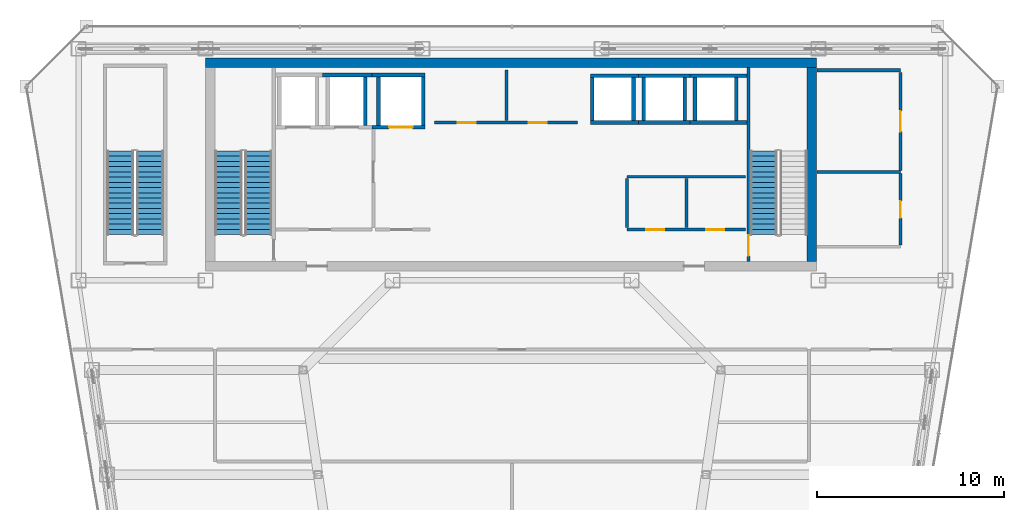
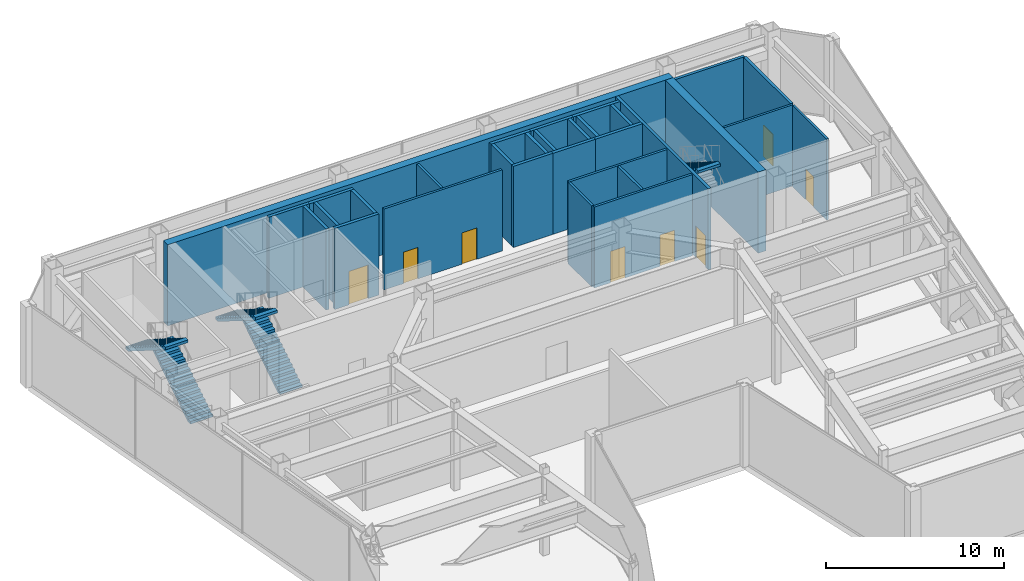
# One storey, part 30 of 34: 31 walls, 8 doors, 5 stair flights, 8 openings, 3 elements without a shape of their own.
"""IFC4 building model written with IfcOpenShell, lengths in metres."""

from ifc_helpers import new_model, si_unit, direction, frame, frame_2d, origin, place, context, subcontext, project, spatial, polyline, rectangle, outline, extrude, material, layer, layer_set, type_object, element, fill, aggregate, save


model = new_model("IFC4")

# Units and contexts
model_context = context("Model", 3, precision=1e-05, world=origin(), true_north=direction((0.0, 1.0)))
body_context = subcontext(model_context, "Body", "Model", "MODEL_VIEW")
ifc_project = project(units=[si_unit("LENGTHUNIT", "METRE"), si_unit("AREAUNIT", "SQUARE_METRE"), si_unit("VOLUMEUNIT", "CUBIC_METRE"), si_unit("PLANEANGLEUNIT", "RADIAN"), si_unit("MASSUNIT", "GRAM", prefix="KILO")], contexts=[model_context])

# Site, building, storey
site_placement = place(None, origin())
site = spatial("IfcSite", under=ifc_project, at=site_placement, CompositionType="ELEMENT")
building_placement = place(site_placement, origin())
building = spatial("IfcBuilding", under=site, at=building_placement, Name="Saevonmaru Cultural Tower", CompositionType="ELEMENT")
storey_placement = place(building_placement, frame((0.0, 0.0, 224.60009765625)))
storey = spatial("IfcBuildingStorey", under=building, at=storey_placement, Name="L52", CompositionType="ELEMENT", Elevation=224.60009765625)

# Walls
ifc_material_1 = material(Name="Concrete C60/75", Category="concrete")
ifc_layer_1 = layer(ifc_material_1, 0.5, Name="Concrete C60/75")
ifc_layer_set_1 = layer_set([ifc_layer_1], Name="Concrete C60/75")
wall_type_1 = type_object("IfcWallType", Name="WL-CORE-500", PredefinedType="SHEAR", material=ifc_layer_set_1)
wall_1_placement = place(storey_placement, frame((13.60009765625, 54.050048828125, 0.0), z_axis=(0.0, 0.0, 1.0), x_axis=(1.0, 0.0, 0.0)))
element("IfcWall", 1, at=wall_1_placement, inside=storey, type_object=wall_type_1, Name="L52 Tower RC core shear wall N", PredefinedType="SHEAR", context=body_context, shape_type="SweptSolid", body=[
    extrude(rectangle(XDim=32.699951171875, YDim=0.5, at=frame_2d((16.35009765625, 0.0))), origin(), (0.0, 0.0, 1.0), 5.5498046875),
])
wall_2_placement = place(storey_placement, frame((46.050048828125, 43.39990234375, 0.0), z_axis=(0.0, 0.0, 1.0), x_axis=(0.0, 1.0, 0.0)))
element("IfcWall", 2, at=wall_2_placement, inside=storey, type_object=wall_type_1, Name="L52 Tower RC core shear wall E", PredefinedType="SHEAR", context=body_context, shape_type="SweptSolid", body=[
    extrude(rectangle(XDim=10.400146484375, YDim=0.5, at=frame_2d((5.2001953125, 0.0))), origin(), (0.0, 0.0, 1.0), 5.5498046875),
])

# Wall, openings, doors
ifc_material_2 = material(Name="Gypsum Fireboard Partition", Category="gypsum")
ifc_layer_2 = layer(ifc_material_2, 0.14990234375, Name="Gypsum Fireboard Partition")
ifc_layer_set_2 = layer_set([ifc_layer_2], Name="Gypsum Fireboard Partition")
wall_type_2 = type_object("IfcWallType", Name="WL-CORE-PART-150", PredefinedType="PARTITIONING", material=ifc_layer_set_2)
wall_3_placement = place(storey_placement, frame((36.14990234375, 45.1201171875, 0.0), z_axis=(0.0, 0.0, 1.0), x_axis=(1.0, 0.0, 0.0)))
wall_3 = element("IfcWall", 3, at=wall_3_placement, inside=storey, type_object=wall_type_2, Name="L52 Core Cluster South Wall", PredefinedType="PARTITIONING", context=body_context, shape_type="SweptSolid", body=[
    extrude(rectangle(XDim=6.35009765625, YDim=0.14990234375, at=frame_2d((3.175048828125, 0.0))), origin(), (0.0, 0.0, 1.0), 5.5498046875),
])
opening_1_placement = place(wall_3_placement, frame((1.050048828125, 0.0, 0.0)))
opening_1 = element("IfcOpeningElement", 4, at=opening_1_placement, cuts=wall_3, Name="Opening FD-4", PredefinedType="OPENING", context=body_context, shape_type="SweptSolid", body=[
    extrude(rectangle(XDim=0.949951171875, YDim=2.14990234375, at=frame_2d((0.47509765625, 1.074951171875))), frame((0.0, 0.0849609375, 0.0), z_axis=(0.0, -1.0, 0.0), x_axis=(1.0, 0.0, 0.0)), (0.0, 0.0, 1.0), 0.169921875),
])
opening_2_placement = place(wall_3_placement, frame((4.25, 0.0, 0.0)))
opening_2 = element("IfcOpeningElement", 5, at=opening_2_placement, cuts=wall_3, Name="Opening FD-4", PredefinedType="OPENING", context=body_context, shape_type="SweptSolid", body=[
    extrude(rectangle(XDim=0.949951171875, YDim=2.14990234375, at=frame_2d((0.47509765625, 1.074951171875))), frame((0.0, 0.0849609375, 0.0), z_axis=(0.0, -1.0, 0.0), x_axis=(1.0, 0.0, 0.0)), (0.0, 0.0, 1.0), 0.169921875),
])
ifc_material_3 = material(Name="Satin Bronze Anodised Aluminium", Category="aluminium")
door_type_1 = type_object("IfcDoorType", Name="DR-FD60-950", OperationType="SINGLE_SWING_LEFT", PredefinedType="DOOR", material=ifc_material_3)
door_1_placement = place(opening_1_placement, origin())
door_1 = element("IfcDoor", 6, at=door_1_placement, inside=storey, type_object=door_type_1, Name="L52 BMS Control Room Door", OperationType="SINGLE_SWING_LEFT", OverallHeight=2.14990234375, OverallWidth=0.949951171875, PredefinedType="DOOR", context=body_context, shape_type="SweptSolid", body=[
    extrude(rectangle(XDim=0.949951171875, YDim=2.14990234375, at=frame_2d((0.47509765625, 1.074951171875))), frame((0.0, 0.02490234375, 0.0), z_axis=(0.0, -1.0, 0.0), x_axis=(1.0, 0.0, 0.0)), (0.0, 0.0, 1.0), 0.050048828125),
])
fill(opening_1, door_1)
door_2_placement = place(opening_2_placement, origin())
door_2 = element("IfcDoor", 7, at=door_2_placement, inside=storey, type_object=door_type_1, Name="L52 Fibre Node Plant Door", OperationType="SINGLE_SWING_LEFT", OverallHeight=2.14990234375, OverallWidth=0.949951171875, PredefinedType="DOOR", context=body_context, shape_type="SweptSolid", body=[
    extrude(rectangle(XDim=0.949951171875, YDim=2.14990234375, at=frame_2d((0.47509765625, 1.074951171875))), frame((0.0, 0.02490234375, 0.0), z_axis=(0.0, -1.0, 0.0), x_axis=(1.0, 0.0, 0.0)), (0.0, 0.0, 1.0), 0.050048828125),
])
fill(opening_2, door_2)

# Walls
wall_4_placement = place(storey_placement, frame((36.14990234375, 47.949951171875, 0.0), z_axis=(0.0, 0.0, 1.0), x_axis=(1.0, 0.0, 0.0)))
element("IfcWall", 8, at=wall_4_placement, inside=storey, type_object=wall_type_2, Name="L52 Core Cluster North Wall", PredefinedType="PARTITIONING", context=body_context, shape_type="SweptSolid", body=[
    extrude(rectangle(XDim=6.35009765625, YDim=0.14990234375, at=frame_2d((3.175048828125, 0.0))), origin(), (0.0, 0.0, 1.0), 5.5498046875),
])
for number, where, z_axis, x_axis, name in (
    (9, (36.14990234375, 45.219970703125, 0.0), (0.0, 0.0, 1.0), (0.0, 1.0, 0.0), "L52 Core Cluster West Wall"),
    (10, (39.35009765625, 45.219970703125, 0.0), (0.0, 0.0, 1.0), (0.0, 1.0, 0.0), "L52 Core Cluster Inner Split"),
):
    element("IfcWall", number, at=place(storey_placement, frame(where, z_axis=z_axis, x_axis=x_axis)), inside=storey, type_object=wall_type_2, Name=name, PredefinedType="PARTITIONING", context=body_context, shape_type="SweptSolid", body=[
        extrude(rectangle(XDim=2.630126953125, YDim=0.14990234375, at=frame_2d((1.31494140625, 0.0))), origin(), (0.0, 0.0, 1.0), 5.5498046875),
    ])

# Wall, openings, doors
wall_5_placement = place(storey_placement, frame((25.85009765625, 50.85009765625, 0.0), z_axis=(0.0, 0.0, 1.0), x_axis=(1.0, 0.0, 0.0)))
wall_5 = element("IfcWall", 11, at=wall_5_placement, inside=storey, type_object=wall_type_2, Name="L52 Reclaimed Core Room South Wall", PredefinedType="PARTITIONING", context=body_context, shape_type="SweptSolid", body=[
    extrude(rectangle(XDim=7.64990234375, YDim=0.14990234375, at=frame_2d((3.824951171875, 0.0))), origin(), (0.0, 0.0, 1.0), 5.5498046875),
])
opening_3_placement = place(wall_5_placement, frame((1.25, 0.0, 0.0)))
opening_3 = element("IfcOpeningElement", 12, at=opening_3_placement, cuts=wall_5, Name="Opening FD-4", PredefinedType="OPENING", context=body_context, shape_type="SweptSolid", body=[
    extrude(rectangle(XDim=0.949951171875, YDim=2.14990234375, at=frame_2d((0.47509765625, 1.074951171875))), frame((0.0, 0.0849609375, 0.0), z_axis=(0.0, -1.0, 0.0), x_axis=(1.0, 0.0, 0.0)), (0.0, 0.0, 1.0), 0.169921875),
])
opening_4_placement = place(wall_5_placement, frame((5.050048828125, 0.0, 0.0)))
opening_4 = element("IfcOpeningElement", 13, at=opening_4_placement, cuts=wall_5, Name="Opening FD-4", PredefinedType="OPENING", context=body_context, shape_type="SweptSolid", body=[
    extrude(rectangle(XDim=0.949951171875, YDim=2.14990234375, at=frame_2d((0.47509765625, 1.074951171875))), frame((0.0, 0.0849609375, 0.0), z_axis=(0.0, -1.0, 0.0), x_axis=(1.0, 0.0, 0.0)), (0.0, 0.0, 1.0), 0.169921875),
])
door_3_placement = place(opening_3_placement, origin())
door_3 = element("IfcDoor", 14, at=door_3_placement, inside=storey, type_object=door_type_1, Name="L52 Reclaimed Archive Vault Door", OperationType="SINGLE_SWING_LEFT", OverallHeight=2.14990234375, OverallWidth=0.949951171875, PredefinedType="DOOR", context=body_context, shape_type="SweptSolid", body=[
    extrude(rectangle(XDim=0.949951171875, YDim=2.14990234375, at=frame_2d((0.47509765625, 1.074951171875))), frame((0.0, 0.02490234375, 0.0), z_axis=(0.0, -1.0, 0.0), x_axis=(1.0, 0.0, 0.0)), (0.0, 0.0, 1.0), 0.050048828125),
])
fill(opening_3, door_3)
door_4_placement = place(opening_4_placement, origin())
door_4 = element("IfcDoor", 15, at=door_4_placement, inside=storey, type_object=door_type_1, Name="L52 Reclaimed Conservation Storage Door", OperationType="SINGLE_SWING_LEFT", OverallHeight=2.14990234375, OverallWidth=0.949951171875, PredefinedType="DOOR", context=body_context, shape_type="SweptSolid", body=[
    extrude(rectangle(XDim=0.949951171875, YDim=2.14990234375, at=frame_2d((0.47509765625, 1.074951171875))), frame((0.0, 0.02490234375, 0.0), z_axis=(0.0, -1.0, 0.0), x_axis=(1.0, 0.0, 0.0)), (0.0, 0.0, 1.0), 0.050048828125),
])
fill(opening_4, door_4)

# Walls
wall_6_placement = place(storey_placement, frame((29.699951171875, 50.949951171875, 0.0), z_axis=(0.0, 0.0, 1.0), x_axis=(0.0, 1.0, 0.0)))
element("IfcWall", 16, at=wall_6_placement, inside=storey, type_object=wall_type_2, Name="L52 Reclaimed Vault Split", PredefinedType="PARTITIONING", context=body_context, shape_type="SweptSolid", body=[
    extrude(rectangle(XDim=2.699951171875, YDim=0.14990234375, at=frame_2d((1.35009765625, 0.0))), origin(), (0.0, 0.0, 1.0), 5.5498046875),
])
ifc_layer_3 = layer(ifc_material_2, 0.179931640625, Name="Gypsum Fireboard Partition")
ifc_layer_set_3 = layer_set([ifc_layer_3], Name="Gypsum Fireboard Partition")
wall_type_3 = type_object("IfcWallType", Name="WL-PART-PLANT-180", PredefinedType="PARTITIONING", material=ifc_layer_set_3)
wall_7_placement = place(storey_placement, frame((46.320068359375, 53.64990234375, 0.0), z_axis=(0.0, 0.0, 1.0), x_axis=(1.0, 0.0, 0.0)))
element("IfcWall", 17, at=wall_7_placement, inside=storey, type_object=wall_type_3, Name="L52 East Refuge North Wall", PredefinedType="PARTITIONING", context=body_context, shape_type="SweptSolid", body=[
    extrude(rectangle(XDim=4.47998046875, YDim=0.179931640625, at=frame_2d((2.239990234375, 0.0))), origin(), (0.0, 0.0, 1.0), 5.5498046875),
])

# Wall, opening, door
wall_8_placement = place(storey_placement, frame((50.800048828125, 48.2900390625, 0.0), z_axis=(0.0, 0.0, 1.0), x_axis=(0.0, 1.0, 0.0)))
wall_8 = element("IfcWall", 18, at=wall_8_placement, inside=storey, type_object=wall_type_3, Name="L52 East Refuge Door Wall", PredefinedType="PARTITIONING", context=body_context, shape_type="SweptSolid", body=[
    extrude(rectangle(XDim=5.25, YDim=0.179931640625, at=frame_2d((2.625, 0.0))), origin(), (0.0, 0.0, 1.0), 5.5498046875),
])
opening_5_placement = place(wall_8_placement, frame((2.074951171875, 0.0, 0.0)))
opening_5 = element("IfcOpeningElement", 19, at=opening_5_placement, cuts=wall_8, Name="Opening FD-2", PredefinedType="OPENING", context=body_context, shape_type="SweptSolid", body=[
    extrude(rectangle(XDim=1.10009765625, YDim=2.14990234375, at=frame_2d((0.550048828125, 1.074951171875))), frame((0.0, 0.10009765625, 0.0), z_axis=(0.0, -1.0, 0.0), x_axis=(1.0, 0.0, 0.0)), (0.0, 0.0, 1.0), 0.199951171875),
])
door_type_2 = type_object("IfcDoorType", Name="DR-FD60-1100", OperationType="SINGLE_SWING_LEFT", PredefinedType="DOOR", material=ifc_material_3)
door_5_placement = place(opening_5_placement, origin())
door_5 = element("IfcDoor", 20, at=door_5_placement, inside=storey, type_object=door_type_2, Name="L52 East Refuge Area Fire Door", OperationType="SINGLE_SWING_LEFT", OverallHeight=2.14990234375, OverallWidth=1.10009765625, PredefinedType="DOOR", context=body_context, shape_type="SweptSolid", body=[
    extrude(rectangle(XDim=1.10009765625, YDim=2.14990234375, at=frame_2d((0.550048828125, 1.074951171875))), frame((0.0, 0.02490234375, 0.0), z_axis=(0.0, -1.0, 0.0), x_axis=(1.0, 0.0, 0.0)), (0.0, 0.0, 1.0), 0.050048828125),
])
fill(opening_5, door_5)

# Wall
ifc_layer_4 = layer(ifc_material_2, 0.139892578125, Name="Gypsum Fireboard Partition")
ifc_layer_set_4 = layer_set([ifc_layer_4], Name="Gypsum Fireboard Partition")
wall_type_4 = type_object("IfcWallType", Name="WL-PART-WET-140", PredefinedType="PARTITIONING", material=ifc_layer_set_4)
wall_9_placement = place(storey_placement, frame((46.320068359375, 48.199951171875, 0.0), z_axis=(0.0, 0.0, 1.0), x_axis=(1.0, 0.0, 0.0)))
element("IfcWall", 21, at=wall_9_placement, inside=storey, type_object=wall_type_4, Name="L52 Refuge Washroom North Wall", PredefinedType="PARTITIONING", context=body_context, shape_type="SweptSolid", body=[
    extrude(rectangle(XDim=4.47998046875, YDim=0.139892578125, at=frame_2d((2.239990234375, 0.0))), origin(), (0.0, 0.0, 1.0), 5.5498046875),
])

# Wall, opening, door
wall_10_placement = place(storey_placement, frame((50.800048828125, 44.2900390625, 0.0), z_axis=(0.0, 0.0, 1.0), x_axis=(0.0, 1.0, 0.0)))
wall_10 = element("IfcWall", 22, at=wall_10_placement, inside=storey, type_object=wall_type_4, Name="L52 Refuge Washroom Door Wall", PredefinedType="PARTITIONING", context=body_context, shape_type="SweptSolid", body=[
    extrude(rectangle(XDim=3.820068359375, YDim=0.139892578125, at=frame_2d((1.91015625, 0.0))), origin(), (0.0, 0.0, 1.0), 5.5498046875),
])
opening_6_placement = place(wall_10_placement, frame((1.4599609375, 0.0, 0.0)))
opening_6 = element("IfcOpeningElement", 23, at=opening_6_placement, cuts=wall_10, Name="Opening ID-2", PredefinedType="OPENING", context=body_context, shape_type="SweptSolid", body=[
    extrude(rectangle(XDim=0.89990234375, YDim=2.10009765625, at=frame_2d((0.449951171875, 1.050048828125))), frame((0.0, 0.080078125, 0.0), z_axis=(0.0, -1.0, 0.0), x_axis=(1.0, 0.0, 0.0)), (0.0, 0.0, 1.0), 0.159912109375),
])
ifc_material_4 = material(Name="Acoustic Stained Oak Timber", Category="wood")
door_type_3 = type_object("IfcDoorType", Name="DR-INT-900", OperationType="SINGLE_SWING_RIGHT", PredefinedType="DOOR", material=ifc_material_4)
door_6_placement = place(opening_6_placement, origin())
door_6 = element("IfcDoor", 24, at=door_6_placement, inside=storey, type_object=door_type_3, Name="L52 Refuge Accessible Washroom Door", OperationType="SINGLE_SWING_RIGHT", OverallHeight=2.10009765625, OverallWidth=0.89990234375, PredefinedType="DOOR", context=body_context, shape_type="SweptSolid", body=[
    extrude(rectangle(XDim=0.89990234375, YDim=2.10009765625, at=frame_2d((0.449951171875, 1.050048828125))), frame((0.0, 0.02490234375, 0.0), z_axis=(0.0, -1.0, 0.0), x_axis=(1.0, 0.0, 0.0)), (0.0, 0.0, 1.0), 0.050048828125),
])
fill(opening_6, door_6)

# Walls
ifc_material_5 = material(Name="Concrete C40/50", Category="concrete")
ifc_layer_5 = layer(ifc_material_5, 0.199951171875, Name="Concrete C40/50")
ifc_layer_set_5 = layer_set([ifc_layer_5], Name="Concrete C40/50")
wall_type_5 = type_object("IfcWallType", Name="WL-SHAFT-200", PredefinedType="SHEAR", material=ifc_layer_set_5)
wall_11_placement = place(storey_placement, frame((19.85009765625, 53.39990234375, 0.0), z_axis=(0.0, 0.0, 1.0), x_axis=(1.0, 0.0, 0.0)))
element("IfcWall", 25, at=wall_11_placement, inside=storey, type_object=wall_type_5, Name="L52 Lift FFL-2 Hoistway Wall N", PredefinedType="SHEAR", context=body_context, shape_type="SweptSolid", body=[
    extrude(rectangle(XDim=2.64990234375, YDim=0.199951171875, at=frame_2d((1.324951171875, 0.0))), origin(), (0.0, 0.0, 1.0), 5.5498046875),
])
wall_12_placement = place(storey_placement, frame((22.14990234375, 50.699951171875, 0.0), z_axis=(0.0, 0.0, 1.0), x_axis=(0.0, 1.0, 0.0)))
element("IfcWall", 26, at=wall_12_placement, inside=storey, type_object=wall_type_5, Name="L52 Lift FFL-2 Hoistway Wall E", PredefinedType="SHEAR", context=body_context, shape_type="SweptSolid", body=[
    extrude(rectangle(XDim=2.60009765625, YDim=0.199951171875, at=frame_2d((1.300048828125, 0.0))), origin(), (0.0, 0.0, 1.0), 5.5498046875),
])

# Wall, opening, door
wall_13_placement = place(storey_placement, frame((22.5, 50.60009765625, 0.0), z_axis=(0.0, 0.0, 1.0), x_axis=(1.0, 0.0, 0.0)))
wall_13 = element("IfcWall", 27, at=wall_13_placement, inside=storey, type_object=wall_type_5, Name="L52 Lift GL-1 Hoistway Wall S", PredefinedType="SHEAR", context=body_context, shape_type="SweptSolid", body=[
    extrude(rectangle(XDim=2.85009765625, YDim=0.199951171875, at=frame_2d((1.425048828125, 0.0))), origin(), (0.0, 0.0, 1.0), 5.5498046875),
])
opening_7_placement = place(wall_13_placement, frame((0.925048828125, 0.0, 0.0)))
opening_7 = element("IfcOpeningElement", 28, at=opening_7_placement, cuts=wall_13, Name="Opening LD-2", PredefinedType="OPENING", context=body_context, shape_type="SweptSolid", body=[
    extrude(rectangle(XDim=1.25, YDim=2.300048828125, at=frame_2d((0.625, 1.14990234375))), frame((0.0, 0.10986328125, 0.0), z_axis=(0.0, -1.0, 0.0), x_axis=(1.0, 0.0, 0.0)), (0.0, 0.0, 1.0), 0.219970703125),
])
ifc_material_6 = material(Name="Stainless Steel 316", Category="steel")
door_type_4 = type_object("IfcDoorType", Name="DR-LIFT-1250", OperationType="SLIDING_TO_LEFT", PredefinedType="DOOR", material=ifc_material_6)
door_7_placement = place(opening_7_placement, origin())
door_7 = element("IfcDoor", 29, at=door_7_placement, inside=storey, type_object=door_type_4, Name="L52 Lift GL-1 Sliding Landing Door", OperationType="SLIDING_TO_LEFT", OverallHeight=2.300048828125, OverallWidth=1.25, PredefinedType="DOOR", context=body_context, shape_type="SweptSolid", body=[
    extrude(rectangle(XDim=1.25, YDim=2.300048828125, at=frame_2d((0.625, 1.14990234375))), frame((0.0, 0.02490234375, 0.0), z_axis=(0.0, -1.0, 0.0), x_axis=(1.0, 0.0, 0.0)), (0.0, 0.0, 1.0), 0.050048828125),
])
fill(opening_7, door_7)

# Walls
wall_14_placement = place(storey_placement, frame((22.5, 53.39990234375, 0.0), z_axis=(0.0, 0.0, 1.0), x_axis=(1.0, 0.0, 0.0)))
element("IfcWall", 30, at=wall_14_placement, inside=storey, type_object=wall_type_5, Name="L52 Lift GL-1 Hoistway Wall N", PredefinedType="SHEAR", context=body_context, shape_type="SweptSolid", body=[
    extrude(rectangle(XDim=2.85009765625, YDim=0.199951171875, at=frame_2d((1.425048828125, 0.0))), origin(), (0.0, 0.0, 1.0), 5.5498046875),
])
for number, where, z_axis, x_axis, name in (
    (31, (22.85009765625, 50.699951171875, 0.0), (0.0, 0.0, 1.0), (0.0, 1.0, 0.0), "L52 Lift GL-1 Hoistway Wall W"),
    (32, (25.25, 50.699951171875, 0.0), (0.0, 0.0, 1.0), (0.0, 1.0, 0.0), "L52 Lift GL-1 Hoistway Wall E"),
):
    element("IfcWall", number, at=place(storey_placement, frame(where, z_axis=z_axis, x_axis=x_axis)), inside=storey, type_object=wall_type_5, Name=name, PredefinedType="SHEAR", context=body_context, shape_type="SweptSolid", body=[
        extrude(rectangle(XDim=2.60009765625, YDim=0.199951171875, at=frame_2d((1.300048828125, 0.0))), origin(), (0.0, 0.0, 1.0), 5.5498046875),
    ])
for number, where, z_axis, x_axis, name in (
    (33, (34.199951171875, 50.85009765625, 0.0), (0.0, 0.0, 1.0), (1.0, 0.0, 0.0), "L52 Lift PL-H1 Hoistway Wall S"),
    (34, (34.199951171875, 53.35009765625, 0.0), (0.0, 0.0, 1.0), (1.0, 0.0, 0.0), "L52 Lift PL-H1 Hoistway Wall N"),
):
    element("IfcWall", number, at=place(storey_placement, frame(where, z_axis=z_axis, x_axis=x_axis)), inside=storey, type_object=wall_type_5, Name=name, PredefinedType="SHEAR", context=body_context, shape_type="SweptSolid", body=[
        extrude(rectangle(XDim=2.574951171875, YDim=0.199951171875, at=frame_2d((1.28759765625, 0.0))), origin(), (0.0, 0.0, 1.0), 5.5498046875),
    ])
for number, where, z_axis, x_axis, name in (
    (35, (34.300048828125, 50.949951171875, 0.0), (0.0, 0.0, 1.0), (0.0, 1.0, 0.0), "L52 Lift PL-H1 Hoistway Wall W"),
    (36, (36.5, 50.949951171875, 0.0), (0.0, 0.0, 1.0), (0.0, 1.0, 0.0), "L52 Lift PL-H1 Hoistway Wall E"),
):
    element("IfcWall", number, at=place(storey_placement, frame(where, z_axis=z_axis, x_axis=x_axis)), inside=storey, type_object=wall_type_5, Name=name, PredefinedType="SHEAR", context=body_context, shape_type="SweptSolid", body=[
        extrude(rectangle(XDim=2.300048828125, YDim=0.199951171875, at=frame_2d((1.14990234375, 0.0))), origin(), (0.0, 0.0, 1.0), 5.5498046875),
    ])
for number, where, z_axis, x_axis, name in (
    (37, (36.77490234375, 50.85009765625, 0.0), (0.0, 0.0, 1.0), (1.0, 0.0, 0.0), "L52 Lift PL-H2 Hoistway Wall S"),
    (38, (36.77490234375, 53.35009765625, 0.0), (0.0, 0.0, 1.0), (1.0, 0.0, 0.0), "L52 Lift PL-H2 Hoistway Wall N"),
):
    element("IfcWall", number, at=place(storey_placement, frame(where, z_axis=z_axis, x_axis=x_axis)), inside=storey, type_object=wall_type_5, Name=name, PredefinedType="SHEAR", context=body_context, shape_type="SweptSolid", body=[
        extrude(rectangle(XDim=2.75, YDim=0.199951171875, at=frame_2d((1.375, 0.0))), origin(), (0.0, 0.0, 1.0), 5.5498046875),
    ])
for number, where, z_axis, x_axis, name in (
    (39, (37.050048828125, 50.949951171875, 0.0), (0.0, 0.0, 1.0), (0.0, 1.0, 0.0), "L52 Lift PL-H2 Hoistway Wall W"),
    (40, (39.25, 50.949951171875, 0.0), (0.0, 0.0, 1.0), (0.0, 1.0, 0.0), "L52 Lift PL-H2 Hoistway Wall E"),
):
    element("IfcWall", number, at=place(storey_placement, frame(where, z_axis=z_axis, x_axis=x_axis)), inside=storey, type_object=wall_type_5, Name=name, PredefinedType="SHEAR", context=body_context, shape_type="SweptSolid", body=[
        extrude(rectangle(XDim=2.300048828125, YDim=0.199951171875, at=frame_2d((1.14990234375, 0.0))), origin(), (0.0, 0.0, 1.0), 5.5498046875),
    ])
for number, where, z_axis, x_axis, name in (
    (41, (39.52490234375, 50.85009765625, 0.0), (0.0, 0.0, 1.0), (1.0, 0.0, 0.0), "L52 Lift PL-H3 Hoistway Wall S"),
    (42, (39.52490234375, 53.35009765625, 0.0), (0.0, 0.0, 1.0), (1.0, 0.0, 0.0), "L52 Lift PL-H3 Hoistway Wall N"),
):
    element("IfcWall", number, at=place(storey_placement, frame(where, z_axis=z_axis, x_axis=x_axis)), inside=storey, type_object=wall_type_5, Name=name, PredefinedType="SHEAR", context=body_context, shape_type="SweptSolid", body=[
        extrude(rectangle(XDim=3.045166015625, YDim=0.199951171875, at=frame_2d((1.5224609375, 0.0))), origin(), (0.0, 0.0, 1.0), 5.5498046875),
    ])
for number, where, z_axis, x_axis, name in (
    (43, (39.800048828125, 50.949951171875, 0.0), (0.0, 0.0, 1.0), (0.0, 1.0, 0.0), "L52 Lift PL-H3 Hoistway Wall W"),
    (44, (42.0, 50.949951171875, 0.0), (0.0, 0.0, 1.0), (0.0, 1.0, 0.0), "L52 Lift PL-H3 Hoistway Wall E"),
):
    element("IfcWall", number, at=place(storey_placement, frame(where, z_axis=z_axis, x_axis=x_axis)), inside=storey, type_object=wall_type_5, Name=name, PredefinedType="SHEAR", context=body_context, shape_type="SweptSolid", body=[
        extrude(rectangle(XDim=2.300048828125, YDim=0.199951171875, at=frame_2d((1.14990234375, 0.0))), origin(), (0.0, 0.0, 1.0), 5.5498046875),
    ])

# Wall, opening, door
ifc_layer_6 = layer(ifc_material_5, 0.179931640625, Name="Concrete C40/50")
ifc_layer_set_6 = layer_set([ifc_layer_6], Name="Concrete C40/50")
wall_type_6 = type_object("IfcWallType", Name="WL-STSHAFT-180", PredefinedType="SHEAR", material=ifc_layer_set_6)
wall_15_placement = place(storey_placement, frame((42.659912109375, 53.800048828125, 0.0), z_axis=(0.0, 0.0, 1.0), x_axis=(0.0, -1.0, 0.0)))
wall_15 = element("IfcWall", 45, at=wall_15_placement, inside=storey, type_object=wall_type_6, Name="L52 Stair ST-2 Structural Shaft Wall 1", PredefinedType="SHEAR", context=body_context, shape_type="SweptSolid", body=[
    extrude(rectangle(XDim=10.400146484375, YDim=0.179931640625, at=frame_2d((5.2001953125, 0.0))), origin(), (0.0, 0.0, 1.0), 5.5498046875),
])
opening_8_placement = place(wall_15_placement, frame((8.989990234375, 0.0, 0.0)))
opening_8 = element("IfcOpeningElement", 46, at=opening_8_placement, cuts=wall_15, Name="Opening FD-2", PredefinedType="OPENING", context=body_context, shape_type="SweptSolid", body=[
    extrude(rectangle(XDim=1.10009765625, YDim=2.14990234375, at=frame_2d((0.550048828125, 1.074951171875))), frame((0.0, 0.10009765625, 0.0), z_axis=(0.0, -1.0, 0.0), x_axis=(1.0, 0.0, 0.0)), (0.0, 0.0, 1.0), 0.199951171875),
])
door_8_placement = place(opening_8_placement, origin())
door_8 = element("IfcDoor", 47, at=door_8_placement, inside=storey, type_object=door_type_2, Name="L52 Protected Stair ST-2 Fire Door", OperationType="SINGLE_SWING_LEFT", OverallHeight=2.14990234375, OverallWidth=1.10009765625, PredefinedType="DOOR", context=body_context, shape_type="SweptSolid", body=[
    extrude(rectangle(XDim=1.10009765625, YDim=2.14990234375, at=frame_2d((0.550048828125, 1.074951171875))), frame((0.0, 0.02490234375, 0.0), z_axis=(0.0, -1.0, 0.0), x_axis=(1.0, 0.0, 0.0)), (0.0, 0.0, 1.0), 0.050048828125),
])
fill(opening_8, door_8)

# Stair, stair flights
stair_type = type_object("IfcStairType", Name="STR-DOGLEG-RC", PredefinedType="HALF_TURN_STAIR", material=ifc_material_5)
stair_1_placement = place(storey_placement, origin())
stair_1 = element("IfcStair", 48, at=stair_1_placement, inside=storey, type_object=stair_type, Name="L52 Protected exit stair ST-1", PredefinedType="HALF_TURN_STAIR")
ifc_material_7 = material(Name="Precast concrete C40/50", Category="concrete")
stair_flight_type = type_object("IfcStairFlightType", Name="STF-PRECAST-180", PredefinedType="STRAIGHT", material=ifc_material_7)
stair_flight_1_placement = place(storey_placement, frame((16.425048828125, 44.85009765625, 0.0), z_axis=(0.0, 0.0, 1.0), x_axis=(0.0, 1.0, 0.0)))
stair_flight_1 = element("IfcStairFlight", 49, at=stair_flight_1_placement, type_object=stair_flight_type, Name="ST-1-L52 flight 1", NumberOfRisers=17, NumberOfTreads=16, PredefinedType="STRAIGHT", RiserHeight=0.176470588, TreadLength=0.28, context=body_context, shape_type="SweptSolid", body=[
    extrude(outline(polyline([(0.0, 0.0), (0.0, 0.176513671875), (0.280029296875, 0.176513671875), (0.280029296875, 0.35302734375), (0.56005859375, 0.35302734375), (0.56005859375, 0.529296875), (0.840087890625, 0.529296875), (0.840087890625, 0.705810546875), (1.1201171875, 0.705810546875), (1.1201171875, 0.88232421875), (1.39990234375, 0.88232421875), (1.39990234375, 1.058837890625), (1.679931640625, 1.058837890625), (1.679931640625, 1.2353515625), (1.9599609375, 1.2353515625), (1.9599609375, 1.411865234375), (2.239990234375, 1.411865234375), (2.239990234375, 1.588134765625), (2.52001953125, 1.588134765625), (2.52001953125, 1.7646484375), (2.800048828125, 1.7646484375), (2.800048828125, 1.941162109375), (3.080078125, 1.941162109375), (3.080078125, 2.11767578125), (3.360107421875, 2.11767578125), (3.360107421875, 2.294189453125), (3.639892578125, 2.294189453125), (3.639892578125, 2.470703125), (3.919921875, 2.470703125), (3.919921875, 2.64697265625), (4.199951171875, 2.64697265625), (4.199951171875, 2.823486328125), (4.47998046875, 2.823486328125), (4.47998046875, 3.0), (4.47998046875, 2.646240234375), (0.28125, 0.0), (0.0, 0.0)])), frame((0.0, 0.72509765625, 0.0), z_axis=(0.0, -1.0, 0.0), x_axis=(1.0, 0.0, 0.0)), (0.0, 0.0, 1.0), 1.449951171875),
])
stair_flight_2_placement = place(storey_placement, frame((14.824951171875, 49.330078125, 3.0), z_axis=(0.0, 0.0, 1.0), x_axis=(0.0, -1.0, 0.0)))
stair_flight_2 = element("IfcStairFlight", 50, at=stair_flight_2_placement, type_object=stair_flight_type, Name="ST-1-L52 flight 2", NumberOfRisers=17, NumberOfTreads=16, PredefinedType="STRAIGHT", RiserHeight=0.176470588, TreadLength=0.28, context=body_context, shape_type="SweptSolid", body=[
    extrude(outline(polyline([(0.0, 0.0), (0.0, 0.176513671875), (0.280029296875, 0.176513671875), (0.280029296875, 0.35302734375), (0.56005859375, 0.35302734375), (0.56005859375, 0.529296875), (0.840087890625, 0.529296875), (0.840087890625, 0.705810546875), (1.1201171875, 0.705810546875), (1.1201171875, 0.88232421875), (1.39990234375, 0.88232421875), (1.39990234375, 1.058837890625), (1.679931640625, 1.058837890625), (1.679931640625, 1.2353515625), (1.9599609375, 1.2353515625), (1.9599609375, 1.411865234375), (2.239990234375, 1.411865234375), (2.239990234375, 1.588134765625), (2.52001953125, 1.588134765625), (2.52001953125, 1.7646484375), (2.800048828125, 1.7646484375), (2.800048828125, 1.941162109375), (3.080078125, 1.941162109375), (3.080078125, 2.11767578125), (3.360107421875, 2.11767578125), (3.360107421875, 2.294189453125), (3.639892578125, 2.294189453125), (3.639892578125, 2.470703125), (3.919921875, 2.470703125), (3.919921875, 2.64697265625), (4.199951171875, 2.64697265625), (4.199951171875, 2.823486328125), (4.47998046875, 2.823486328125), (4.47998046875, 3.0), (4.47998046875, 2.646240234375), (0.28125, 0.0), (0.0, 0.0)])), frame((0.0, 0.72509765625, 0.0), z_axis=(0.0, -1.0, 0.0), x_axis=(1.0, 0.0, 0.0)), (0.0, 0.0, 1.0), 1.449951171875),
])
aggregate(stair_1, [stair_flight_1, stair_flight_2])

# Stair, stair flight
stair_2_placement = place(storey_placement, origin())
stair_2 = element("IfcStair", 51, at=stair_2_placement, inside=storey, type_object=stair_type, Name="L52 Protected exit stair ST-2", PredefinedType="HALF_TURN_STAIR")
stair_flight_3_placement = place(storey_placement, frame((43.47509765625, 49.330078125, 3.0), z_axis=(0.0, 0.0, 1.0), x_axis=(0.0, -1.0, 0.0)))
stair_flight_3 = element("IfcStairFlight", 52, at=stair_flight_3_placement, type_object=stair_flight_type, Name="ST-2-L52 flight 2", NumberOfRisers=17, NumberOfTreads=16, PredefinedType="STRAIGHT", RiserHeight=0.176470588, TreadLength=0.28, context=body_context, shape_type="SweptSolid", body=[
    extrude(outline(polyline([(0.0, 0.0), (0.0, 0.176513671875), (0.280029296875, 0.176513671875), (0.280029296875, 0.35302734375), (0.56005859375, 0.35302734375), (0.56005859375, 0.529296875), (0.840087890625, 0.529296875), (0.840087890625, 0.705810546875), (1.1201171875, 0.705810546875), (1.1201171875, 0.88232421875), (1.39990234375, 0.88232421875), (1.39990234375, 1.058837890625), (1.679931640625, 1.058837890625), (1.679931640625, 1.2353515625), (1.9599609375, 1.2353515625), (1.9599609375, 1.411865234375), (2.239990234375, 1.411865234375), (2.239990234375, 1.588134765625), (2.52001953125, 1.588134765625), (2.52001953125, 1.7646484375), (2.800048828125, 1.7646484375), (2.800048828125, 1.941162109375), (3.080078125, 1.941162109375), (3.080078125, 2.11767578125), (3.360107421875, 2.11767578125), (3.360107421875, 2.294189453125), (3.639892578125, 2.294189453125), (3.639892578125, 2.470703125), (3.919921875, 2.470703125), (3.919921875, 2.64697265625), (4.199951171875, 2.64697265625), (4.199951171875, 2.823486328125), (4.47998046875, 2.823486328125), (4.47998046875, 3.0), (4.47998046875, 2.646240234375), (0.28125, 0.0), (0.0, 0.0)])), frame((0.0, 0.72509765625, 0.0), z_axis=(0.0, -1.0, 0.0), x_axis=(1.0, 0.0, 0.0)), (0.0, 0.0, 1.0), 1.449951171875),
])
aggregate(stair_2, [stair_flight_3])

# Stair, stair flights
stair_3_placement = place(storey_placement, origin())
stair_3 = element("IfcStair", 53, at=stair_3_placement, inside=storey, type_object=stair_type, Name="L52 Protected exit stair ST-3", PredefinedType="HALF_TURN_STAIR")
stair_flight_4_placement = place(storey_placement, frame((10.625, 44.85009765625, 0.0), z_axis=(0.0, 0.0, 1.0), x_axis=(0.0, 1.0, 0.0)))
stair_flight_4 = element("IfcStairFlight", 54, at=stair_flight_4_placement, type_object=stair_flight_type, Name="ST-3-L52 flight 1", NumberOfRisers=17, NumberOfTreads=16, PredefinedType="STRAIGHT", RiserHeight=0.176470588, TreadLength=0.28, context=body_context, shape_type="SweptSolid", body=[
    extrude(outline(polyline([(0.0, 0.0), (0.0, 0.176513671875), (0.280029296875, 0.176513671875), (0.280029296875, 0.35302734375), (0.56005859375, 0.35302734375), (0.56005859375, 0.529296875), (0.840087890625, 0.529296875), (0.840087890625, 0.705810546875), (1.1201171875, 0.705810546875), (1.1201171875, 0.88232421875), (1.39990234375, 0.88232421875), (1.39990234375, 1.058837890625), (1.679931640625, 1.058837890625), (1.679931640625, 1.2353515625), (1.9599609375, 1.2353515625), (1.9599609375, 1.411865234375), (2.239990234375, 1.411865234375), (2.239990234375, 1.588134765625), (2.52001953125, 1.588134765625), (2.52001953125, 1.7646484375), (2.800048828125, 1.7646484375), (2.800048828125, 1.941162109375), (3.080078125, 1.941162109375), (3.080078125, 2.11767578125), (3.360107421875, 2.11767578125), (3.360107421875, 2.294189453125), (3.639892578125, 2.294189453125), (3.639892578125, 2.470703125), (3.919921875, 2.470703125), (3.919921875, 2.64697265625), (4.199951171875, 2.64697265625), (4.199951171875, 2.823486328125), (4.47998046875, 2.823486328125), (4.47998046875, 3.0), (4.47998046875, 2.646240234375), (0.28125, 0.0), (0.0, 0.0)])), frame((0.0, 0.72509765625, 0.0), z_axis=(0.0, -1.0, 0.0), x_axis=(1.0, 0.0, 0.0)), (0.0, 0.0, 1.0), 1.449951171875),
])
stair_flight_5_placement = place(storey_placement, frame((9.02490234375, 49.330078125, 3.0), z_axis=(0.0, 0.0, 1.0), x_axis=(0.0, -1.0, 0.0)))
stair_flight_5 = element("IfcStairFlight", 55, at=stair_flight_5_placement, type_object=stair_flight_type, Name="ST-3-L52 flight 2", NumberOfRisers=17, NumberOfTreads=16, PredefinedType="STRAIGHT", RiserHeight=0.176470588, TreadLength=0.28, context=body_context, shape_type="SweptSolid", body=[
    extrude(outline(polyline([(0.0, 0.0), (0.0, 0.176513671875), (0.280029296875, 0.176513671875), (0.280029296875, 0.35302734375), (0.56005859375, 0.35302734375), (0.56005859375, 0.529296875), (0.840087890625, 0.529296875), (0.840087890625, 0.705810546875), (1.1201171875, 0.705810546875), (1.1201171875, 0.88232421875), (1.39990234375, 0.88232421875), (1.39990234375, 1.058837890625), (1.679931640625, 1.058837890625), (1.679931640625, 1.2353515625), (1.9599609375, 1.2353515625), (1.9599609375, 1.411865234375), (2.239990234375, 1.411865234375), (2.239990234375, 1.588134765625), (2.52001953125, 1.588134765625), (2.52001953125, 1.7646484375), (2.800048828125, 1.7646484375), (2.800048828125, 1.941162109375), (3.080078125, 1.941162109375), (3.080078125, 2.11767578125), (3.360107421875, 2.11767578125), (3.360107421875, 2.294189453125), (3.639892578125, 2.294189453125), (3.639892578125, 2.470703125), (3.919921875, 2.470703125), (3.919921875, 2.64697265625), (4.199951171875, 2.64697265625), (4.199951171875, 2.823486328125), (4.47998046875, 2.823486328125), (4.47998046875, 3.0), (4.47998046875, 2.646240234375), (0.28125, 0.0), (0.0, 0.0)])), frame((0.0, 0.72509765625, 0.0), z_axis=(0.0, -1.0, 0.0), x_axis=(1.0, 0.0, 0.0)), (0.0, 0.0, 1.0), 1.449951171875),
])
aggregate(stair_3, [stair_flight_4, stair_flight_5])

save(model, "model.ifc")
